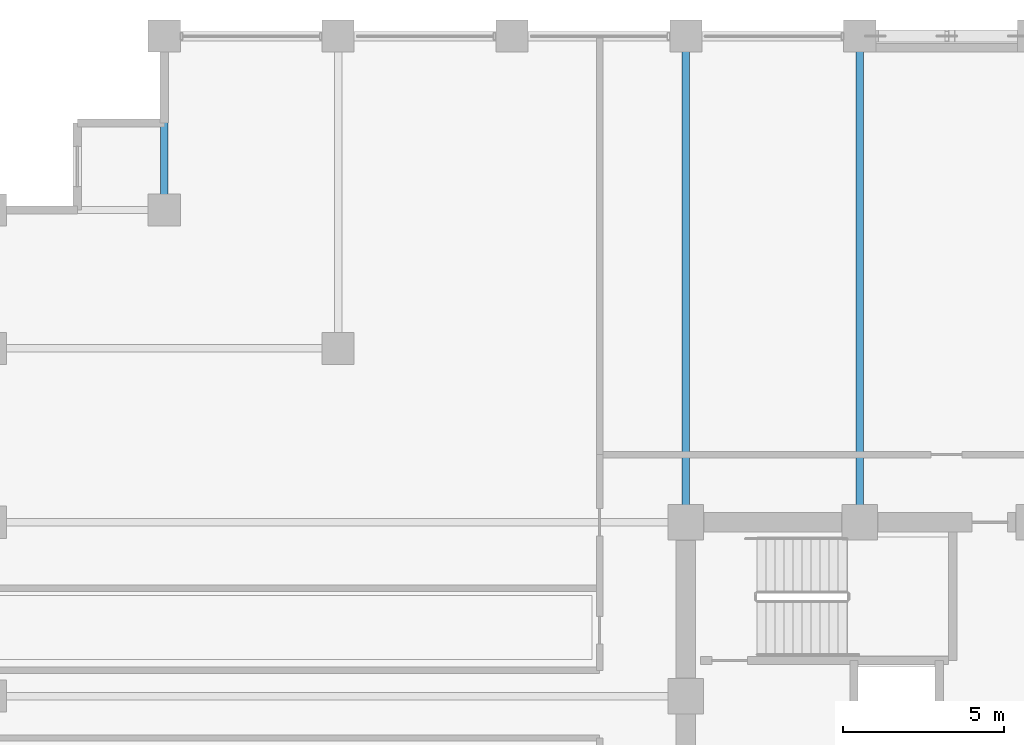
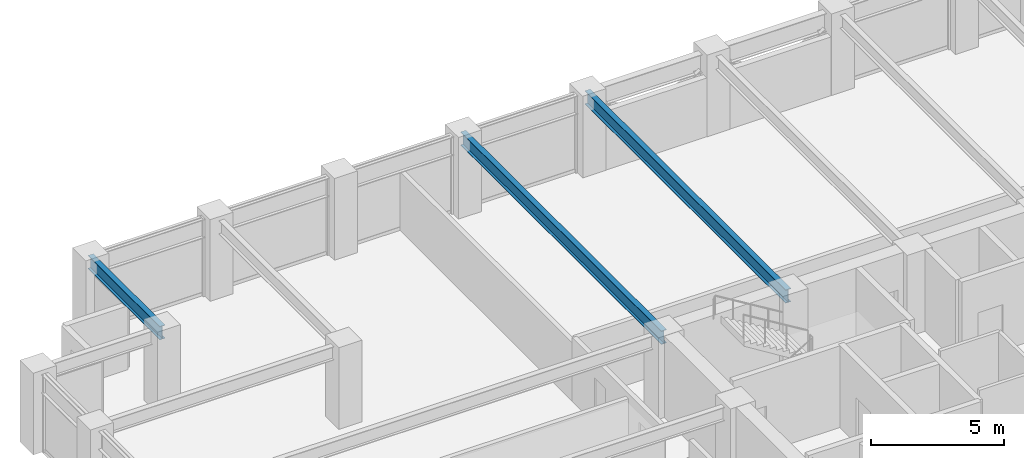
# One storey, part 13 of 29: 3 beams.
"""IFC4 building model written with IfcOpenShell, lengths in metres."""

from ifc_helpers import new_model, si_unit, direction, frame, origin, origin_2d, place, context, subcontext, project, spatial, i_section, extrude, material, material_profile, profile_set, type_object, element, save


model = new_model("IFC4")

# Units and contexts
model_context = context("Model", 3, precision=1e-05, world=origin(), true_north=direction((0.0, 1.0)))
body_context = subcontext(model_context, "Body", "Model", "MODEL_VIEW")
ifc_project = project(units=[si_unit("LENGTHUNIT", "METRE"), si_unit("AREAUNIT", "SQUARE_METRE"), si_unit("VOLUMEUNIT", "CUBIC_METRE"), si_unit("PLANEANGLEUNIT", "RADIAN"), si_unit("MASSUNIT", "GRAM", prefix="KILO")], contexts=[model_context])

# Site, building, storey
site_placement = place(None, origin())
site = spatial("IfcSite", under=ifc_project, at=site_placement, CompositionType="ELEMENT")
building_placement = place(site_placement, origin())
building = spatial("IfcBuilding", under=site, at=building_placement, Name="Surkhivell Harbour Commons", CompositionType="ELEMENT")
storey_placement = place(building_placement, frame((0.0, 0.0, 154.5)))
storey = spatial("IfcBuildingStorey", under=building, at=storey_placement, Name="L40", CompositionType="ELEMENT", Elevation=154.5)

# Beams
ifc_material = material(Name="Steel S355", Category="steel")
ifc_material_profile = material_profile(ifc_material, i_section(OverallWidth=0.22998046875, OverallDepth=0.616943359375, WebThickness=0.01318359375, FlangeThickness=0.022216796875, at=origin_2d()), Name="UB610x229x140")
ifc_profile_set = profile_set([ifc_material_profile], Name="Steel S355")
beam_type = type_object("IfcBeamType", Name="BM-GRD-610B", PredefinedType="BEAM", material=ifc_profile_set)
beam_placement = place(storey_placement, frame((-27.0, 20.5, 3.261474609375), z_axis=(0.0, 1.0, 0.0), x_axis=(-1.0, 0.0, 0.0)))
element("IfcBeam", 1, at=beam_placement, inside=storey, type_object=beam_type, Name="L40 Floor Girder (-27.0,20.5)", PredefinedType="BEAM", context=body_context, shape_type="SweptSolid", body=[
    extrude(i_section(OverallWidth=0.22998046875, OverallDepth=0.616943359375, WebThickness=0.01318359375, FlangeThickness=0.022216796875, at=origin_2d()), origin(), (0.0, 0.0, 1.0), 5.39990234375),
])
for number, where, z_axis, x_axis, name in (
    (2, (-10.800048828125, 10.800048828125, 3.261474609375), (0.0, 1.0, 0.0), (-1.0, 0.0, 0.0), "L40 Floor Girder (-10.8,10.8)"),
    (3, (-5.39990234375, 10.800048828125, 3.261474609375), (0.0, 1.0, 0.0), (-1.0, 0.0, 0.0), "L40 Floor Girder (-5.4,10.8)"),
):
    element("IfcBeam", number, at=place(storey_placement, frame(where, z_axis=z_axis, x_axis=x_axis)), inside=storey, type_object=beam_type, Name=name, PredefinedType="BEAM", context=body_context, shape_type="SweptSolid", body=[
        extrude(i_section(OverallWidth=0.22998046875, OverallDepth=0.616943359375, WebThickness=0.01318359375, FlangeThickness=0.022216796875, at=origin_2d()), origin(), (0.0, 0.0, 1.0), 15.099853515625),
    ])

save(model, "model.ifc")
